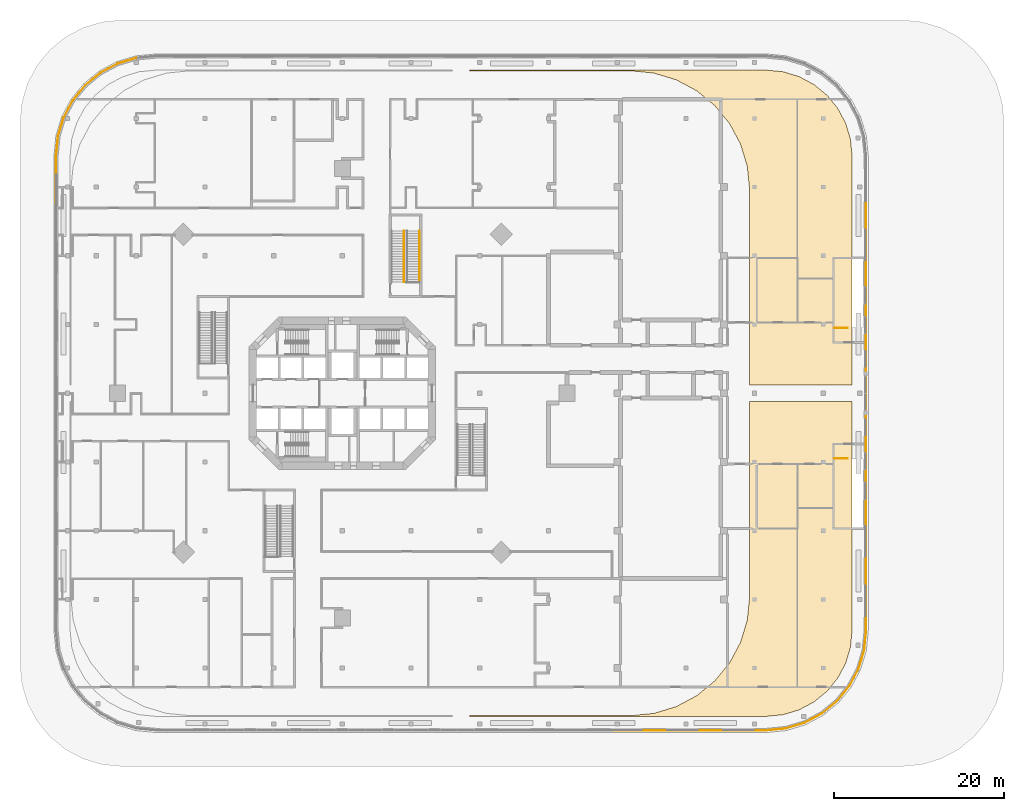
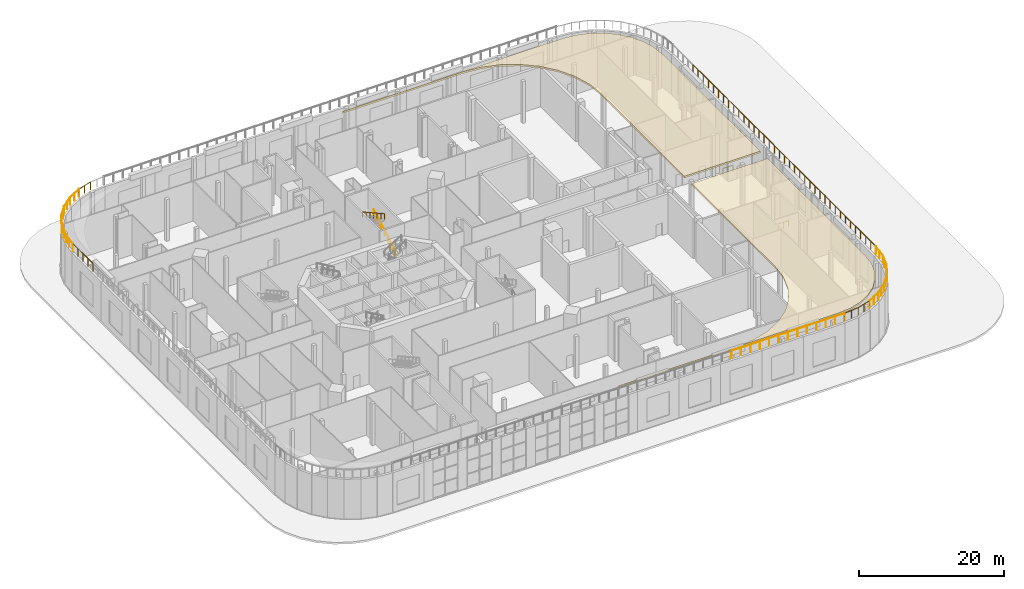
# One storey, part 20 of 21: 32 railings, 2 coverings, 1 element without a shape of its own.
"""IFC4 building model written with IfcOpenShell, lengths in metres."""

from ifc_helpers import new_model, si_unit, direction, frame, origin, origin_2d, place, context, subcontext, project, spatial, polyline, rectangle, outline, extrude, material, layer, layer_set, type_object, element, aggregate, save


model = new_model("IFC4")

# Units and contexts
model_context = context("Model", 3, precision=1e-05, world=origin(), true_north=direction((0.0, 1.0)))
body_context = subcontext(model_context, "Body", "Model", "MODEL_VIEW")
ifc_project = project(units=[si_unit("LENGTHUNIT", "METRE"), si_unit("AREAUNIT", "SQUARE_METRE"), si_unit("VOLUMEUNIT", "CUBIC_METRE"), si_unit("PLANEANGLEUNIT", "RADIAN"), si_unit("MASSUNIT", "GRAM", prefix="KILO")], contexts=[model_context])

# Site, building, storey
site_placement = place(None, origin())
site = spatial("IfcSite", under=ifc_project, at=site_placement, CompositionType="ELEMENT")
building_placement = place(site_placement, origin())
building = spatial("IfcBuilding", under=site, at=building_placement, Name="Torre Triforio", CompositionType="ELEMENT")
storey_placement = place(building_placement, frame((0.0, 0.0, 6.0)))
storey = spatial("IfcBuildingStorey", under=building, at=storey_placement, Name="L01", CompositionType="ELEMENT", Elevation=6.0)

# Coverings
ifc_material_1 = material(Name="Planted topsoil bed")
ifc_layer = layer(ifc_material_1, 0.300048828125)
ifc_layer_set = layer_set([ifc_layer], Name="Planted topsoil bed")
covering_type = type_object("IfcCoveringType", Name="Planted bed 300", PredefinedType="FLOORING", material=ifc_layer_set)
covering_1_placement = place(storey_placement, frame((0.0, 0.0, 7.0)))
element("IfcCovering", 1, at=covering_1_placement, inside=storey, type_object=covering_type, Name="Terrace T2 planted bed 3", PredefinedType="FLOORING", context=body_context, shape_type="SweptSolid", body=[
    extrude(outline(polyline([(34.098388671875, -38.0), (36.733154296875, -37.740478515625), (39.361328125, -36.943359375), (41.783447265625, -35.648681640625), (43.90625, -33.90625), (45.648681640625, -31.783447265625), (46.943359375, -29.361328125), (47.740478515625, -26.733154296875), (48.0, -24.098388671875), (48.0, -1.0), (60.10009765625, -1.0), (60.10009765625, -27.90673828125), (59.89697265625, -29.968505859375), (59.32275390625, -31.861572265625), (58.39013671875, -33.606201171875), (57.13525390625, -35.13525390625), (55.606201171875, -36.39013671875), (53.861572265625, -37.32275390625), (51.968505859375, -37.89697265625), (49.90673828125, -38.10009765625), (15.0, -38.10009765625), (15.0, -38.0), (34.098388671875, -38.0)])), origin(), (0.0, 0.0, 1.0), 0.300048828125),
])
covering_2_placement = place(storey_placement, frame((0.0, 0.0, 7.0)))
element("IfcCovering", 2, at=covering_2_placement, inside=storey, type_object=covering_type, Name="Terrace T2 planted bed 4", PredefinedType="FLOORING", context=body_context, shape_type="SweptSolid", body=[
    extrude(outline(polyline([(49.90673828125, 38.10009765625), (51.968505859375, 37.89697265625), (53.861572265625, 37.32275390625), (55.606201171875, 36.39013671875), (57.13525390625, 35.13525390625), (58.39013671875, 33.606201171875), (59.32275390625, 31.861572265625), (59.89697265625, 29.968505859375), (60.10009765625, 27.90673828125), (60.10009765625, 1.0), (48.0, 1.0), (48.0, 24.098388671875), (47.740478515625, 26.733154296875), (46.943359375, 29.361328125), (45.648681640625, 31.783447265625), (43.90625, 33.90625), (41.783447265625, 35.648681640625), (39.361328125, 36.943359375), (36.733154296875, 37.740478515625), (34.098388671875, 38.0), (15.0, 38.0), (15.0, 38.10009765625), (49.90673828125, 38.10009765625)])), origin(), (0.0, 0.0, 1.0), 0.300048828125),
])

# Stair, railings
ifc_material_2 = material(Name="Concrete C40", Category="concrete")
stair_type = type_object("IfcStairType", Name="Egress stair 1400 clear", PredefinedType="NOTDEFINED", material=ifc_material_2)
stair_placement = place(storey_placement, origin())
stair = element("IfcStair", 3, at=stair_placement, inside=storey, type_object=stair_type, Name="Exit stair PS4 L01 to L02", PredefinedType="NOTDEFINED")
ifc_material_3 = material(Name="Stainless steel AISI 316", Category="steel")
railing_type_1 = type_object("IfcRailingType", Name="Stair handrail 920", PredefinedType="HANDRAIL", material=ifc_material_3)
railing_1_placement = place(storey_placement, frame((9.074951171875, 13.125, 0.166748046875)))
railing_1 = element("IfcRailing", 4, at=railing_1_placement, type_object=railing_type_1, Name="Handrail PS4", PredefinedType="HANDRAIL", context=body_context, shape_type="SweptSolid", body=[
    extrude(rectangle(XDim=0.048095703125, YDim=0.048095703125, at=origin_2d()), frame((0.0, 0.0, 0.89599609375), z_axis=(0.0, 0.874162309531, 0.485633870932), x_axis=(-1.0, 0.0, 0.0)), (0.0, 0.0, 1.0), 6.86376953125),
    extrude(rectangle(XDim=0.0419921875, YDim=0.0419921875, at=origin_2d()), origin(), (0.0, 0.0, 1.0), 0.871826171875),
    extrude(rectangle(XDim=0.0419921875, YDim=0.0419921875, at=origin_2d()), frame((0.0, 1.0, 0.5556640625)), (0.0, 0.0, 1.0), 0.871826171875),
    extrude(rectangle(XDim=0.0419921875, YDim=0.0419921875, at=origin_2d()), frame((0.0, 2.0, 1.111083984375)), (0.0, 0.0, 1.0), 0.871826171875),
    extrude(rectangle(XDim=0.0419921875, YDim=0.0419921875, at=origin_2d()), frame((0.0, 3.0, 1.66650390625)), (0.0, 0.0, 1.0), 0.871826171875),
    extrude(rectangle(XDim=0.0419921875, YDim=0.0419921875, at=origin_2d()), frame((0.0, 4.0, 2.22216796875)), (0.0, 0.0, 1.0), 0.871826171875),
    extrude(rectangle(XDim=0.0419921875, YDim=0.0419921875, at=origin_2d()), frame((0.0, 5.0, 2.77783203125)), (0.0, 0.0, 1.0), 0.871826171875),
    extrude(rectangle(XDim=0.0419921875, YDim=0.0419921875, at=origin_2d()), frame((0.0, 6.0, 3.333251953125)), (0.0, 0.0, 1.0), 0.871826171875),
])
railing_2_placement = place(storey_placement, frame((7.27490234375, 19.125, 3.666748046875)))
railing_2 = element("IfcRailing", 5, at=railing_2_placement, type_object=railing_type_1, Name="Handrail PS4", PredefinedType="HANDRAIL", context=body_context, shape_type="SweptSolid", body=[
    extrude(rectangle(XDim=0.048095703125, YDim=0.048095703125, at=origin_2d()), frame((0.0, 0.0, 0.89599609375), z_axis=(0.0, -0.874162309531, 0.485633870932), x_axis=(1.0, 0.0, 0.0)), (0.0, 0.0, 1.0), 6.86376953125),
    extrude(rectangle(XDim=0.0419921875, YDim=0.0419921875, at=origin_2d()), origin(), (0.0, 0.0, 1.0), 0.871826171875),
    extrude(rectangle(XDim=0.0419921875, YDim=0.0419921875, at=origin_2d()), frame((0.0, -1.0, 0.5556640625)), (0.0, 0.0, 1.0), 0.871826171875),
    extrude(rectangle(XDim=0.0419921875, YDim=0.0419921875, at=origin_2d()), frame((0.0, -2.0, 1.111083984375)), (0.0, 0.0, 1.0), 0.871826171875),
    extrude(rectangle(XDim=0.0419921875, YDim=0.0419921875, at=origin_2d()), frame((0.0, -3.0, 1.66650390625)), (0.0, 0.0, 1.0), 0.871826171875),
    extrude(rectangle(XDim=0.0419921875, YDim=0.0419921875, at=origin_2d()), frame((0.0, -4.0, 2.22216796875)), (0.0, 0.0, 1.0), 0.871826171875),
    extrude(rectangle(XDim=0.0419921875, YDim=0.0419921875, at=origin_2d()), frame((0.0, -5.0, 2.77783203125)), (0.0, 0.0, 1.0), 0.871826171875),
    extrude(rectangle(XDim=0.0419921875, YDim=0.0419921875, at=origin_2d()), frame((0.0, -6.0, 3.333251953125)), (0.0, 0.0, 1.0), 0.871826171875),
])
aggregate(stair, [railing_1, railing_2])

# Railings
railing_type_2 = type_object("IfcRailingType", Name="Stair well guard 1100", PredefinedType="GUARDRAIL", material=ifc_material_3)
for number, where, name in (
    (6, (58.02490234375, 7.675048828125, 0.0), "Guard PS5 L01"),
    (7, (58.02490234375, -7.675048828125, 0.0), "Guard PS6 L01"),
):
    element("IfcRailing", number, at=place(storey_placement, frame(where)), inside=storey, type_object=railing_type_2, Name=name, PredefinedType="GUARDRAIL", context=body_context, shape_type="SweptSolid", body=[
        extrude(rectangle(XDim=0.048095703125, YDim=0.048095703125, at=origin_2d()), frame((0.0, 0.0, 1.076171875), z_axis=(1.0, 0.0, 0.0), x_axis=(0.0, 1.0, 0.0)), (0.0, 0.0, 1.0), 1.550048828125),
        extrude(rectangle(XDim=0.0419921875, YDim=0.0419921875, at=origin_2d()), origin(), (0.0, 0.0, 1.0), 1.052001953125),
        extrude(rectangle(XDim=0.0419921875, YDim=0.0419921875, at=origin_2d()), frame((0.77490234375, 0.0, 0.0)), (0.0, 0.0, 1.0), 1.052001953125),
        extrude(rectangle(XDim=0.0419921875, YDim=0.0419921875, at=origin_2d()), frame((1.550048828125, 0.0, 0.0)), (0.0, 0.0, 1.0), 1.052001953125),
    ])
railing_type_3 = type_object("IfcRailingType", Name="Terrace balustrade 1300", PredefinedType="BALUSTRADE", material=ifc_material_3)
railing_3_placement = place(storey_placement, frame((49.98779296875, -39.75, 7.0)))
element("IfcRailing", 8, at=railing_3_placement, inside=storey, type_object=railing_type_3, Name="Terrace T2 balustrade 01", PredefinedType="BALUSTRADE", context=body_context, shape_type="SweptSolid", body=[
    extrude(rectangle(XDim=0.050048828125, YDim=0.050048828125, at=origin_2d()), frame((0.0, 0.0, 1.27490234375), z_axis=(0.99518021916, 0.098062895086, 0.0), x_axis=(-0.098062895086, 0.99518021916, 0.0)), (0.0, 0.0, 1.0), 2.3154296875),
    extrude(rectangle(XDim=0.0400390625, YDim=0.0400390625, at=origin_2d()), origin(), (0.0, 0.0, 1.0), 1.25),
    extrude(rectangle(XDim=0.0400390625, YDim=0.0400390625, at=origin_2d()), frame((1.152099609375, 0.113525390625, 0.0)), (0.0, 0.0, 1.0), 1.25),
    extrude(rectangle(XDim=0.0400390625, YDim=0.0400390625, at=origin_2d()), frame((2.30419921875, 0.22705078125, 0.0)), (0.0, 0.0, 1.0), 1.25),
])
railing_4_placement = place(storey_placement, frame((52.2919921875, -39.52294921875, 7.0)))
element("IfcRailing", 9, at=railing_4_placement, inside=storey, type_object=railing_type_3, Name="Terrace T2 balustrade 02", PredefinedType="BALUSTRADE", context=body_context, shape_type="SweptSolid", body=[
    extrude(rectangle(XDim=0.050048828125, YDim=0.050048828125, at=origin_2d()), frame((0.0, 0.0, 1.27490234375), z_axis=(0.956958408929, 0.290225091232, 0.0), x_axis=(-0.290225091232, 0.956958408929, 0.0)), (0.0, 0.0, 1.0), 2.30322265625),
    extrude(rectangle(XDim=0.0400390625, YDim=0.0400390625, at=origin_2d()), origin(), (0.0, 0.0, 1.0), 1.25),
    extrude(rectangle(XDim=0.0400390625, YDim=0.0400390625, at=origin_2d()), frame((1.10205078125, 0.334228515625, 0.0)), (0.0, 0.0, 1.0), 1.25),
    extrude(rectangle(XDim=0.0400390625, YDim=0.0400390625, at=origin_2d()), frame((2.2041015625, 0.66845703125, 0.0)), (0.0, 0.0, 1.0), 1.25),
])
railing_5_placement = place(storey_placement, frame((54.49609375, -38.8544921875, 7.0)))
element("IfcRailing", 10, at=railing_5_placement, inside=storey, type_object=railing_type_3, Name="Terrace T2 balustrade 03", PredefinedType="BALUSTRADE", context=body_context, shape_type="SweptSolid", body=[
    extrude(rectangle(XDim=0.050048828125, YDim=0.050048828125, at=origin_2d()), frame((0.0, 0.0, 1.27490234375), z_axis=(0.881927109982, 0.471385800251, 0.0), x_axis=(-0.471385800251, 0.881927109982, 0.0)), (0.0, 0.0, 1.0), 2.30322265625),
    extrude(rectangle(XDim=0.0400390625, YDim=0.0400390625, at=origin_2d()), origin(), (0.0, 0.0, 1.0), 1.25),
    extrude(rectangle(XDim=0.0400390625, YDim=0.0400390625, at=origin_2d()), frame((1.015625, 0.54296875, 0.0)), (0.0, 0.0, 1.0), 1.25),
    extrude(rectangle(XDim=0.0400390625, YDim=0.0400390625, at=origin_2d()), frame((2.03125, 1.085693359375, 0.0)), (0.0, 0.0, 1.0), 1.25),
])
railing_6_placement = place(storey_placement, frame((56.52734375, -37.768798828125, 7.0)))
element("IfcRailing", 11, at=railing_6_placement, inside=storey, type_object=railing_type_3, Name="Terrace T2 balustrade 04", PredefinedType="BALUSTRADE", context=body_context, shape_type="SweptSolid", body=[
    extrude(rectangle(XDim=0.050048828125, YDim=0.050048828125, at=origin_2d()), frame((0.0, 0.0, 1.27490234375), z_axis=(0.772978729137, 0.634431938273, 0.0), x_axis=(-0.634431938273, 0.772978729137, 0.0)), (0.0, 0.0, 1.0), 2.30322265625),
    extrude(rectangle(XDim=0.0400390625, YDim=0.0400390625, at=origin_2d()), origin(), (0.0, 0.0, 1.0), 1.25),
    extrude(rectangle(XDim=0.0400390625, YDim=0.0400390625, at=origin_2d()), frame((0.89013671875, 0.73046875, 0.0)), (0.0, 0.0, 1.0), 1.25),
    extrude(rectangle(XDim=0.0400390625, YDim=0.0400390625, at=origin_2d()), frame((1.7802734375, 1.461181640625, 0.0)), (0.0, 0.0, 1.0), 1.25),
])
railing_7_placement = place(storey_placement, frame((58.3076171875, -36.3076171875, 7.0)))
element("IfcRailing", 12, at=railing_7_placement, inside=storey, type_object=railing_type_3, Name="Terrace T2 balustrade 05", PredefinedType="BALUSTRADE", context=body_context, shape_type="SweptSolid", body=[
    extrude(rectangle(XDim=0.050048828125, YDim=0.050048828125, at=origin_2d()), frame((0.0, 0.0, 1.27490234375), z_axis=(0.634431938273, 0.772978729137, 0.0), x_axis=(-0.772978729137, 0.634431938273, 0.0)), (0.0, 0.0, 1.0), 2.30322265625),
    extrude(rectangle(XDim=0.0400390625, YDim=0.0400390625, at=origin_2d()), origin(), (0.0, 0.0, 1.0), 1.25),
    extrude(rectangle(XDim=0.0400390625, YDim=0.0400390625, at=origin_2d()), frame((0.73046875, 0.89013671875, 0.0)), (0.0, 0.0, 1.0), 1.25),
    extrude(rectangle(XDim=0.0400390625, YDim=0.0400390625, at=origin_2d()), frame((1.461181640625, 1.7802734375, 0.0)), (0.0, 0.0, 1.0), 1.25),
])
railing_8_placement = place(storey_placement, frame((59.768798828125, -34.52734375, 7.0)))
element("IfcRailing", 13, at=railing_8_placement, inside=storey, type_object=railing_type_3, Name="Terrace T2 balustrade 06", PredefinedType="BALUSTRADE", context=body_context, shape_type="SweptSolid", body=[
    extrude(rectangle(XDim=0.050048828125, YDim=0.050048828125, at=origin_2d()), frame((0.0, 0.0, 1.27490234375), z_axis=(0.471385800251, 0.881927109982, 0.0), x_axis=(-0.881927109982, 0.471385800251, 0.0)), (0.0, 0.0, 1.0), 2.30322265625),
    extrude(rectangle(XDim=0.0400390625, YDim=0.0400390625, at=origin_2d()), origin(), (0.0, 0.0, 1.0), 1.25),
    extrude(rectangle(XDim=0.0400390625, YDim=0.0400390625, at=origin_2d()), frame((0.54296875, 1.015625, 0.0)), (0.0, 0.0, 1.0), 1.25),
    extrude(rectangle(XDim=0.0400390625, YDim=0.0400390625, at=origin_2d()), frame((1.085693359375, 2.03125, 0.0)), (0.0, 0.0, 1.0), 1.25),
])
railing_9_placement = place(storey_placement, frame((60.8544921875, -32.49609375, 7.0)))
element("IfcRailing", 14, at=railing_9_placement, inside=storey, type_object=railing_type_3, Name="Terrace T2 balustrade 07", PredefinedType="BALUSTRADE", context=body_context, shape_type="SweptSolid", body=[
    extrude(rectangle(XDim=0.050048828125, YDim=0.050048828125, at=origin_2d()), frame((0.0, 0.0, 1.27490234375), z_axis=(0.290225091232, 0.956958408929, 0.0), x_axis=(-0.956958408929, 0.290225091232, 0.0)), (0.0, 0.0, 1.0), 2.30322265625),
    extrude(rectangle(XDim=0.0400390625, YDim=0.0400390625, at=origin_2d()), origin(), (0.0, 0.0, 1.0), 1.25),
    extrude(rectangle(XDim=0.0400390625, YDim=0.0400390625, at=origin_2d()), frame((0.334228515625, 1.10205078125, 0.0)), (0.0, 0.0, 1.0), 1.25),
    extrude(rectangle(XDim=0.0400390625, YDim=0.0400390625, at=origin_2d()), frame((0.66845703125, 2.2041015625, 0.0)), (0.0, 0.0, 1.0), 1.25),
])
railing_10_placement = place(storey_placement, frame((61.52294921875, -30.2919921875, 7.0)))
element("IfcRailing", 15, at=railing_10_placement, inside=storey, type_object=railing_type_3, Name="Terrace T2 balustrade 08", PredefinedType="BALUSTRADE", context=body_context, shape_type="SweptSolid", body=[
    extrude(rectangle(XDim=0.050048828125, YDim=0.050048828125, at=origin_2d()), frame((0.0, 0.0, 1.27490234375), z_axis=(0.098062895086, 0.99518021916, 0.0), x_axis=(-0.99518021916, 0.098062895086, 0.0)), (0.0, 0.0, 1.0), 2.3154296875),
    extrude(rectangle(XDim=0.0400390625, YDim=0.0400390625, at=origin_2d()), origin(), (0.0, 0.0, 1.0), 1.25),
    extrude(rectangle(XDim=0.0400390625, YDim=0.0400390625, at=origin_2d()), frame((0.113525390625, 1.152099609375, 0.0)), (0.0, 0.0, 1.0), 1.25),
    extrude(rectangle(XDim=0.0400390625, YDim=0.0400390625, at=origin_2d()), frame((0.22705078125, 2.30419921875, 0.0)), (0.0, 0.0, 1.0), 1.25),
])
for number, where, name in (
    (16, (61.75, -27.98779296875, 7.0), "Terrace T2 balustrade 09.1"),
    (17, (61.75, -22.39013671875, 7.0), "Terrace T2 balustrade 09.2"),
):
    element("IfcRailing", number, at=place(storey_placement, frame(where)), inside=storey, type_object=railing_type_3, Name=name, PredefinedType="BALUSTRADE", context=body_context, shape_type="SweptSolid", body=[
        extrude(rectangle(XDim=0.050048828125, YDim=0.050048828125, at=origin_2d()), frame((0.0, 0.0, 1.27490234375), z_axis=(0.0, 1.0, 0.0), x_axis=(-1.0, 0.0, 0.0)), (0.0, 0.0, 1.0), 5.59765625),
        extrude(rectangle(XDim=0.0400390625, YDim=0.0400390625, at=origin_2d()), origin(), (0.0, 0.0, 1.0), 1.25),
        extrude(rectangle(XDim=0.0400390625, YDim=0.0400390625, at=origin_2d()), frame((0.0, 1.3994140625, 0.0)), (0.0, 0.0, 1.0), 1.25),
        extrude(rectangle(XDim=0.0400390625, YDim=0.0400390625, at=origin_2d()), frame((0.0, 2.798828125, 0.0)), (0.0, 0.0, 1.0), 1.25),
        extrude(rectangle(XDim=0.0400390625, YDim=0.0400390625, at=origin_2d()), frame((0.0, 4.1982421875, 0.0)), (0.0, 0.0, 1.0), 1.25),
        extrude(rectangle(XDim=0.0400390625, YDim=0.0400390625, at=origin_2d()), frame((0.0, 5.59765625, 0.0)), (0.0, 0.0, 1.0), 1.25),
    ])
railing_11_placement = place(storey_placement, frame((61.75, -16.79248046875, 7.0)))
element("IfcRailing", 18, at=railing_11_placement, inside=storey, type_object=railing_type_3, Name="Terrace T2 balustrade 09.3", PredefinedType="BALUSTRADE", context=body_context, shape_type="SweptSolid", body=[
    extrude(rectangle(XDim=0.050048828125, YDim=0.050048828125, at=origin_2d()), frame((0.0, 0.0, 1.27490234375), z_axis=(0.0, 1.0, 0.0), x_axis=(-1.0, 0.0, 0.0)), (0.0, 0.0, 1.0), 5.597412109375),
    extrude(rectangle(XDim=0.0400390625, YDim=0.0400390625, at=origin_2d()), origin(), (0.0, 0.0, 1.0), 1.25),
    extrude(rectangle(XDim=0.0400390625, YDim=0.0400390625, at=origin_2d()), frame((0.0, 1.3994140625, 0.0)), (0.0, 0.0, 1.0), 1.25),
    extrude(rectangle(XDim=0.0400390625, YDim=0.0400390625, at=origin_2d()), frame((0.0, 2.798828125, 0.0)), (0.0, 0.0, 1.0), 1.25),
    extrude(rectangle(XDim=0.0400390625, YDim=0.0400390625, at=origin_2d()), frame((0.0, 4.197998046875, 0.0)), (0.0, 0.0, 1.0), 1.25),
    extrude(rectangle(XDim=0.0400390625, YDim=0.0400390625, at=origin_2d()), frame((0.0, 5.597412109375, 0.0)), (0.0, 0.0, 1.0), 1.25),
])
railing_12_placement = place(storey_placement, frame((61.75, -11.195068359375, 7.0)))
element("IfcRailing", 19, at=railing_12_placement, inside=storey, type_object=railing_type_3, Name="Terrace T2 balustrade 09.4", PredefinedType="BALUSTRADE", context=body_context, shape_type="SweptSolid", body=[
    extrude(rectangle(XDim=0.050048828125, YDim=0.050048828125, at=origin_2d()), frame((0.0, 0.0, 1.27490234375), z_axis=(0.0, 1.0, 0.0), x_axis=(-1.0, 0.0, 0.0)), (0.0, 0.0, 1.0), 5.59765625),
    extrude(rectangle(XDim=0.0400390625, YDim=0.0400390625, at=origin_2d()), origin(), (0.0, 0.0, 1.0), 1.25),
    extrude(rectangle(XDim=0.0400390625, YDim=0.0400390625, at=origin_2d()), frame((0.0, 1.3994140625, 0.0)), (0.0, 0.0, 1.0), 1.25),
    extrude(rectangle(XDim=0.0400390625, YDim=0.0400390625, at=origin_2d()), frame((0.0, 2.798828125, 0.0)), (0.0, 0.0, 1.0), 1.25),
    extrude(rectangle(XDim=0.0400390625, YDim=0.0400390625, at=origin_2d()), frame((0.0, 4.1982421875, 0.0)), (0.0, 0.0, 1.0), 1.25),
    extrude(rectangle(XDim=0.0400390625, YDim=0.0400390625, at=origin_2d()), frame((0.0, 5.59765625, 0.0)), (0.0, 0.0, 1.0), 1.25),
])
for number, where, name in (
    (20, (61.75, -5.597412109375, 7.0), "Terrace T2 balustrade 09.5"),
    (21, (61.75, 0.0, 7.0), "Terrace T2 balustrade 09.6"),
):
    element("IfcRailing", number, at=place(storey_placement, frame(where)), inside=storey, type_object=railing_type_3, Name=name, PredefinedType="BALUSTRADE", context=body_context, shape_type="SweptSolid", body=[
        extrude(rectangle(XDim=0.050048828125, YDim=0.050048828125, at=origin_2d()), frame((0.0, 0.0, 1.27490234375), z_axis=(0.0, 1.0, 0.0), x_axis=(-1.0, 0.0, 0.0)), (0.0, 0.0, 1.0), 5.597412109375),
        extrude(rectangle(XDim=0.0400390625, YDim=0.0400390625, at=origin_2d()), origin(), (0.0, 0.0, 1.0), 1.25),
        extrude(rectangle(XDim=0.0400390625, YDim=0.0400390625, at=origin_2d()), frame((0.0, 1.3994140625, 0.0)), (0.0, 0.0, 1.0), 1.25),
        extrude(rectangle(XDim=0.0400390625, YDim=0.0400390625, at=origin_2d()), frame((0.0, 2.798828125, 0.0)), (0.0, 0.0, 1.0), 1.25),
        extrude(rectangle(XDim=0.0400390625, YDim=0.0400390625, at=origin_2d()), frame((0.0, 4.197998046875, 0.0)), (0.0, 0.0, 1.0), 1.25),
        extrude(rectangle(XDim=0.0400390625, YDim=0.0400390625, at=origin_2d()), frame((0.0, 5.597412109375, 0.0)), (0.0, 0.0, 1.0), 1.25),
    ])
railing_13_placement = place(storey_placement, frame((61.75, 5.597412109375, 7.0)))
element("IfcRailing", 22, at=railing_13_placement, inside=storey, type_object=railing_type_3, Name="Terrace T2 balustrade 09.7", PredefinedType="BALUSTRADE", context=body_context, shape_type="SweptSolid", body=[
    extrude(rectangle(XDim=0.050048828125, YDim=0.050048828125, at=origin_2d()), frame((0.0, 0.0, 1.27490234375), z_axis=(0.0, 1.0, 0.0), x_axis=(-1.0, 0.0, 0.0)), (0.0, 0.0, 1.0), 5.59765625),
    extrude(rectangle(XDim=0.0400390625, YDim=0.0400390625, at=origin_2d()), origin(), (0.0, 0.0, 1.0), 1.25),
    extrude(rectangle(XDim=0.0400390625, YDim=0.0400390625, at=origin_2d()), frame((0.0, 1.3994140625, 0.0)), (0.0, 0.0, 1.0), 1.25),
    extrude(rectangle(XDim=0.0400390625, YDim=0.0400390625, at=origin_2d()), frame((0.0, 2.798828125, 0.0)), (0.0, 0.0, 1.0), 1.25),
    extrude(rectangle(XDim=0.0400390625, YDim=0.0400390625, at=origin_2d()), frame((0.0, 4.1982421875, 0.0)), (0.0, 0.0, 1.0), 1.25),
    extrude(rectangle(XDim=0.0400390625, YDim=0.0400390625, at=origin_2d()), frame((0.0, 5.59765625, 0.0)), (0.0, 0.0, 1.0), 1.25),
])
railing_14_placement = place(storey_placement, frame((61.75, 11.195068359375, 7.0)))
element("IfcRailing", 23, at=railing_14_placement, inside=storey, type_object=railing_type_3, Name="Terrace T2 balustrade 09.8", PredefinedType="BALUSTRADE", context=body_context, shape_type="SweptSolid", body=[
    extrude(rectangle(XDim=0.050048828125, YDim=0.050048828125, at=origin_2d()), frame((0.0, 0.0, 1.27490234375), z_axis=(0.0, 1.0, 0.0), x_axis=(-1.0, 0.0, 0.0)), (0.0, 0.0, 1.0), 5.597412109375),
    extrude(rectangle(XDim=0.0400390625, YDim=0.0400390625, at=origin_2d()), origin(), (0.0, 0.0, 1.0), 1.25),
    extrude(rectangle(XDim=0.0400390625, YDim=0.0400390625, at=origin_2d()), frame((0.0, 1.3994140625, 0.0)), (0.0, 0.0, 1.0), 1.25),
    extrude(rectangle(XDim=0.0400390625, YDim=0.0400390625, at=origin_2d()), frame((0.0, 2.798828125, 0.0)), (0.0, 0.0, 1.0), 1.25),
    extrude(rectangle(XDim=0.0400390625, YDim=0.0400390625, at=origin_2d()), frame((0.0, 4.197998046875, 0.0)), (0.0, 0.0, 1.0), 1.25),
    extrude(rectangle(XDim=0.0400390625, YDim=0.0400390625, at=origin_2d()), frame((0.0, 5.597412109375, 0.0)), (0.0, 0.0, 1.0), 1.25),
])
railing_15_placement = place(storey_placement, frame((61.75, 16.79248046875, 7.0)))
element("IfcRailing", 24, at=railing_15_placement, inside=storey, type_object=railing_type_3, Name="Terrace T2 balustrade 09.9", PredefinedType="BALUSTRADE", context=body_context, shape_type="SweptSolid", body=[
    extrude(rectangle(XDim=0.050048828125, YDim=0.050048828125, at=origin_2d()), frame((0.0, 0.0, 1.27490234375), z_axis=(0.0, 1.0, 0.0), x_axis=(-1.0, 0.0, 0.0)), (0.0, 0.0, 1.0), 5.59765625),
    extrude(rectangle(XDim=0.0400390625, YDim=0.0400390625, at=origin_2d()), origin(), (0.0, 0.0, 1.0), 1.25),
    extrude(rectangle(XDim=0.0400390625, YDim=0.0400390625, at=origin_2d()), frame((0.0, 1.3994140625, 0.0)), (0.0, 0.0, 1.0), 1.25),
    extrude(rectangle(XDim=0.0400390625, YDim=0.0400390625, at=origin_2d()), frame((0.0, 2.798828125, 0.0)), (0.0, 0.0, 1.0), 1.25),
    extrude(rectangle(XDim=0.0400390625, YDim=0.0400390625, at=origin_2d()), frame((0.0, 4.1982421875, 0.0)), (0.0, 0.0, 1.0), 1.25),
    extrude(rectangle(XDim=0.0400390625, YDim=0.0400390625, at=origin_2d()), frame((0.0, 5.59765625, 0.0)), (0.0, 0.0, 1.0), 1.25),
])
railing_16_placement = place(storey_placement, frame((-24.2919921875, 39.52294921875, 7.0)))
element("IfcRailing", 25, at=railing_16_placement, inside=storey, type_object=railing_type_3, Name="Terrace T2 balustrade 20", PredefinedType="BALUSTRADE", context=body_context, shape_type="SweptSolid", body=[
    extrude(rectangle(XDim=0.050048828125, YDim=0.050048828125, at=origin_2d()), frame((0.0, 0.0, 1.27490234375), z_axis=(-0.956958408929, -0.290225091232, 0.0), x_axis=(0.290225091232, -0.956958408929, 0.0)), (0.0, 0.0, 1.0), 2.30322265625),
    extrude(rectangle(XDim=0.0400390625, YDim=0.0400390625, at=origin_2d()), origin(), (0.0, 0.0, 1.0), 1.25),
    extrude(rectangle(XDim=0.0400390625, YDim=0.0400390625, at=origin_2d()), frame((-1.10205078125, -0.334228515625, 0.0)), (0.0, 0.0, 1.0), 1.25),
    extrude(rectangle(XDim=0.0400390625, YDim=0.0400390625, at=origin_2d()), frame((-2.2041015625, -0.66845703125, 0.0)), (0.0, 0.0, 1.0), 1.25),
])
railing_17_placement = place(storey_placement, frame((-26.49609375, 38.8544921875, 7.0)))
element("IfcRailing", 26, at=railing_17_placement, inside=storey, type_object=railing_type_3, Name="Terrace T2 balustrade 21", PredefinedType="BALUSTRADE", context=body_context, shape_type="SweptSolid", body=[
    extrude(rectangle(XDim=0.050048828125, YDim=0.050048828125, at=origin_2d()), frame((0.0, 0.0, 1.27490234375), z_axis=(-0.881927109982, -0.471385800251, 0.0), x_axis=(0.471385800251, -0.881927109982, 0.0)), (0.0, 0.0, 1.0), 2.30322265625),
    extrude(rectangle(XDim=0.0400390625, YDim=0.0400390625, at=origin_2d()), origin(), (0.0, 0.0, 1.0), 1.25),
    extrude(rectangle(XDim=0.0400390625, YDim=0.0400390625, at=origin_2d()), frame((-1.015625, -0.54296875, 0.0)), (0.0, 0.0, 1.0), 1.25),
    extrude(rectangle(XDim=0.0400390625, YDim=0.0400390625, at=origin_2d()), frame((-2.03125, -1.085693359375, 0.0)), (0.0, 0.0, 1.0), 1.25),
])
railing_18_placement = place(storey_placement, frame((-28.52734375, 37.768798828125, 7.0)))
element("IfcRailing", 27, at=railing_18_placement, inside=storey, type_object=railing_type_3, Name="Terrace T2 balustrade 22", PredefinedType="BALUSTRADE", context=body_context, shape_type="SweptSolid", body=[
    extrude(rectangle(XDim=0.050048828125, YDim=0.050048828125, at=origin_2d()), frame((0.0, 0.0, 1.27490234375), z_axis=(-0.772978729137, -0.634431938273, 0.0), x_axis=(0.634431938273, -0.772978729137, 0.0)), (0.0, 0.0, 1.0), 2.30322265625),
    extrude(rectangle(XDim=0.0400390625, YDim=0.0400390625, at=origin_2d()), origin(), (0.0, 0.0, 1.0), 1.25),
    extrude(rectangle(XDim=0.0400390625, YDim=0.0400390625, at=origin_2d()), frame((-0.89013671875, -0.73046875, 0.0)), (0.0, 0.0, 1.0), 1.25),
    extrude(rectangle(XDim=0.0400390625, YDim=0.0400390625, at=origin_2d()), frame((-1.7802734375, -1.461181640625, 0.0)), (0.0, 0.0, 1.0), 1.25),
])
railing_19_placement = place(storey_placement, frame((-30.3076171875, 36.3076171875, 7.0)))
element("IfcRailing", 28, at=railing_19_placement, inside=storey, type_object=railing_type_3, Name="Terrace T2 balustrade 23", PredefinedType="BALUSTRADE", context=body_context, shape_type="SweptSolid", body=[
    extrude(rectangle(XDim=0.050048828125, YDim=0.050048828125, at=origin_2d()), frame((0.0, 0.0, 1.27490234375), z_axis=(-0.634431938273, -0.772978729137, 0.0), x_axis=(0.772978729137, -0.634431938273, 0.0)), (0.0, 0.0, 1.0), 2.30322265625),
    extrude(rectangle(XDim=0.0400390625, YDim=0.0400390625, at=origin_2d()), origin(), (0.0, 0.0, 1.0), 1.25),
    extrude(rectangle(XDim=0.0400390625, YDim=0.0400390625, at=origin_2d()), frame((-0.73046875, -0.89013671875, 0.0)), (0.0, 0.0, 1.0), 1.25),
    extrude(rectangle(XDim=0.0400390625, YDim=0.0400390625, at=origin_2d()), frame((-1.461181640625, -1.7802734375, 0.0)), (0.0, 0.0, 1.0), 1.25),
])
railing_20_placement = place(storey_placement, frame((-31.768798828125, 34.52734375, 7.0)))
element("IfcRailing", 29, at=railing_20_placement, inside=storey, type_object=railing_type_3, Name="Terrace T2 balustrade 24", PredefinedType="BALUSTRADE", context=body_context, shape_type="SweptSolid", body=[
    extrude(rectangle(XDim=0.050048828125, YDim=0.050048828125, at=origin_2d()), frame((0.0, 0.0, 1.27490234375), z_axis=(-0.471385800251, -0.881927109982, 0.0), x_axis=(0.881927109982, -0.471385800251, 0.0)), (0.0, 0.0, 1.0), 2.30322265625),
    extrude(rectangle(XDim=0.0400390625, YDim=0.0400390625, at=origin_2d()), origin(), (0.0, 0.0, 1.0), 1.25),
    extrude(rectangle(XDim=0.0400390625, YDim=0.0400390625, at=origin_2d()), frame((-0.54296875, -1.015625, 0.0)), (0.0, 0.0, 1.0), 1.25),
    extrude(rectangle(XDim=0.0400390625, YDim=0.0400390625, at=origin_2d()), frame((-1.085693359375, -2.03125, 0.0)), (0.0, 0.0, 1.0), 1.25),
])
railing_21_placement = place(storey_placement, frame((-32.8544921875, 32.49609375, 7.0)))
element("IfcRailing", 30, at=railing_21_placement, inside=storey, type_object=railing_type_3, Name="Terrace T2 balustrade 25", PredefinedType="BALUSTRADE", context=body_context, shape_type="SweptSolid", body=[
    extrude(rectangle(XDim=0.050048828125, YDim=0.050048828125, at=origin_2d()), frame((0.0, 0.0, 1.27490234375), z_axis=(-0.290225091232, -0.956958408929, 0.0), x_axis=(0.956958408929, -0.290225091232, 0.0)), (0.0, 0.0, 1.0), 2.30322265625),
    extrude(rectangle(XDim=0.0400390625, YDim=0.0400390625, at=origin_2d()), origin(), (0.0, 0.0, 1.0), 1.25),
    extrude(rectangle(XDim=0.0400390625, YDim=0.0400390625, at=origin_2d()), frame((-0.334228515625, -1.10205078125, 0.0)), (0.0, 0.0, 1.0), 1.25),
    extrude(rectangle(XDim=0.0400390625, YDim=0.0400390625, at=origin_2d()), frame((-0.66845703125, -2.2041015625, 0.0)), (0.0, 0.0, 1.0), 1.25),
])
railing_22_placement = place(storey_placement, frame((-33.52294921875, 30.2919921875, 7.0)))
element("IfcRailing", 31, at=railing_22_placement, inside=storey, type_object=railing_type_3, Name="Terrace T2 balustrade 26", PredefinedType="BALUSTRADE", context=body_context, shape_type="SweptSolid", body=[
    extrude(rectangle(XDim=0.050048828125, YDim=0.050048828125, at=origin_2d()), frame((0.0, 0.0, 1.27490234375), z_axis=(-0.098062895086, -0.99518021916, 0.0), x_axis=(0.99518021916, -0.098062895086, 0.0)), (0.0, 0.0, 1.0), 2.3154296875),
    extrude(rectangle(XDim=0.0400390625, YDim=0.0400390625, at=origin_2d()), origin(), (0.0, 0.0, 1.0), 1.25),
    extrude(rectangle(XDim=0.0400390625, YDim=0.0400390625, at=origin_2d()), frame((-0.113525390625, -1.152099609375, 0.0)), (0.0, 0.0, 1.0), 1.25),
    extrude(rectangle(XDim=0.0400390625, YDim=0.0400390625, at=origin_2d()), frame((-0.22705078125, -2.30419921875, 0.0)), (0.0, 0.0, 1.0), 1.25),
])
railing_23_placement = place(storey_placement, frame((-33.75, 27.98779296875, 7.0)))
element("IfcRailing", 32, at=railing_23_placement, inside=storey, type_object=railing_type_3, Name="Terrace T2 balustrade 27.1", PredefinedType="BALUSTRADE", context=body_context, shape_type="SweptSolid", body=[
    extrude(rectangle(XDim=0.050048828125, YDim=0.050048828125, at=origin_2d()), frame((0.0, 0.0, 1.27490234375), z_axis=(0.0, -1.0, 0.0), x_axis=(1.0, 0.0, 0.0)), (0.0, 0.0, 1.0), 5.59765625),
    extrude(rectangle(XDim=0.0400390625, YDim=0.0400390625, at=origin_2d()), origin(), (0.0, 0.0, 1.0), 1.25),
    extrude(rectangle(XDim=0.0400390625, YDim=0.0400390625, at=origin_2d()), frame((0.0, -1.3994140625, 0.0)), (0.0, 0.0, 1.0), 1.25),
    extrude(rectangle(XDim=0.0400390625, YDim=0.0400390625, at=origin_2d()), frame((0.0, -2.798828125, 0.0)), (0.0, 0.0, 1.0), 1.25),
    extrude(rectangle(XDim=0.0400390625, YDim=0.0400390625, at=origin_2d()), frame((0.0, -4.1982421875, 0.0)), (0.0, 0.0, 1.0), 1.25),
    extrude(rectangle(XDim=0.0400390625, YDim=0.0400390625, at=origin_2d()), frame((0.0, -5.59765625, 0.0)), (0.0, 0.0, 1.0), 1.25),
])
railing_24_placement = place(storey_placement, frame((31.993896484375, -39.75, 7.0)))
element("IfcRailing", 33, at=railing_24_placement, inside=storey, type_object=railing_type_3, Name="Terrace T2 balustrade 36.10", PredefinedType="BALUSTRADE", context=body_context, shape_type="SweptSolid", body=[
    extrude(rectangle(XDim=0.050048828125, YDim=0.050048828125, at=origin_2d()), frame((0.0, 0.0, 1.27490234375), z_axis=(1.0, 0.0, 0.0), x_axis=(0.0, 1.0, 0.0)), (0.0, 0.0, 1.0), 5.997802734375),
    extrude(rectangle(XDim=0.0400390625, YDim=0.0400390625, at=origin_2d()), origin(), (0.0, 0.0, 1.0), 1.25),
    extrude(rectangle(XDim=0.0400390625, YDim=0.0400390625, at=origin_2d()), frame((1.49951171875, 0.0, 0.0)), (0.0, 0.0, 1.0), 1.25),
    extrude(rectangle(XDim=0.0400390625, YDim=0.0400390625, at=origin_2d()), frame((2.9990234375, 0.0, 0.0)), (0.0, 0.0, 1.0), 1.25),
    extrude(rectangle(XDim=0.0400390625, YDim=0.0400390625, at=origin_2d()), frame((4.498291015625, 0.0, 0.0)), (0.0, 0.0, 1.0), 1.25),
    extrude(rectangle(XDim=0.0400390625, YDim=0.0400390625, at=origin_2d()), frame((5.997802734375, 0.0, 0.0)), (0.0, 0.0, 1.0), 1.25),
])
for number, where, name in (
    (34, (37.99169921875, -39.75, 7.0), "Terrace T2 balustrade 36.11"),
    (35, (43.98974609375, -39.75, 7.0), "Terrace T2 balustrade 36.12"),
):
    element("IfcRailing", number, at=place(storey_placement, frame(where)), inside=storey, type_object=railing_type_3, Name=name, PredefinedType="BALUSTRADE", context=body_context, shape_type="SweptSolid", body=[
        extrude(rectangle(XDim=0.050048828125, YDim=0.050048828125, at=origin_2d()), frame((0.0, 0.0, 1.27490234375), z_axis=(1.0, 0.0, 0.0), x_axis=(0.0, 1.0, 0.0)), (0.0, 0.0, 1.0), 5.998046875),
        extrude(rectangle(XDim=0.0400390625, YDim=0.0400390625, at=origin_2d()), origin(), (0.0, 0.0, 1.0), 1.25),
        extrude(rectangle(XDim=0.0400390625, YDim=0.0400390625, at=origin_2d()), frame((1.49951171875, 0.0, 0.0)), (0.0, 0.0, 1.0), 1.25),
        extrude(rectangle(XDim=0.0400390625, YDim=0.0400390625, at=origin_2d()), frame((2.9990234375, 0.0, 0.0)), (0.0, 0.0, 1.0), 1.25),
        extrude(rectangle(XDim=0.0400390625, YDim=0.0400390625, at=origin_2d()), frame((4.49853515625, 0.0, 0.0)), (0.0, 0.0, 1.0), 1.25),
        extrude(rectangle(XDim=0.0400390625, YDim=0.0400390625, at=origin_2d()), frame((5.998046875, 0.0, 0.0)), (0.0, 0.0, 1.0), 1.25),
    ])

save(model, "model.ifc")
